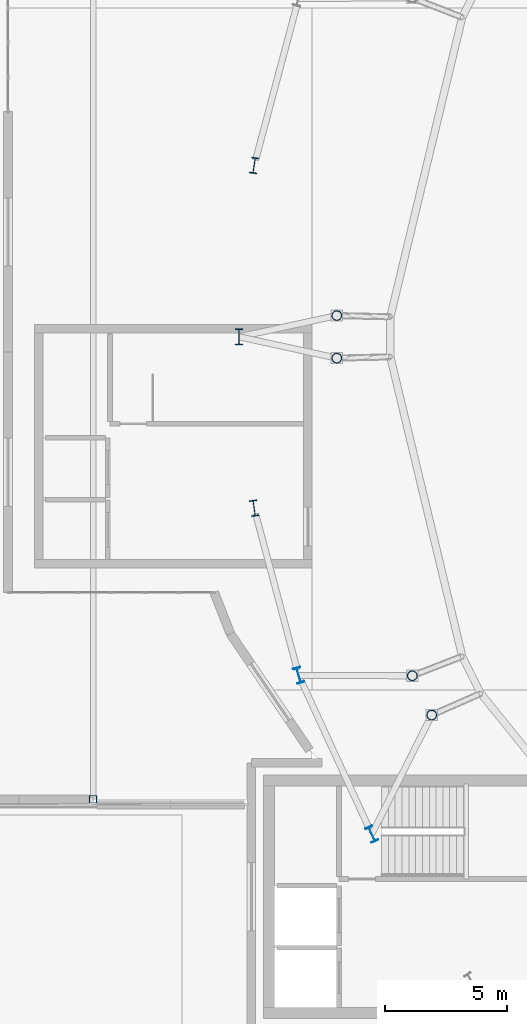
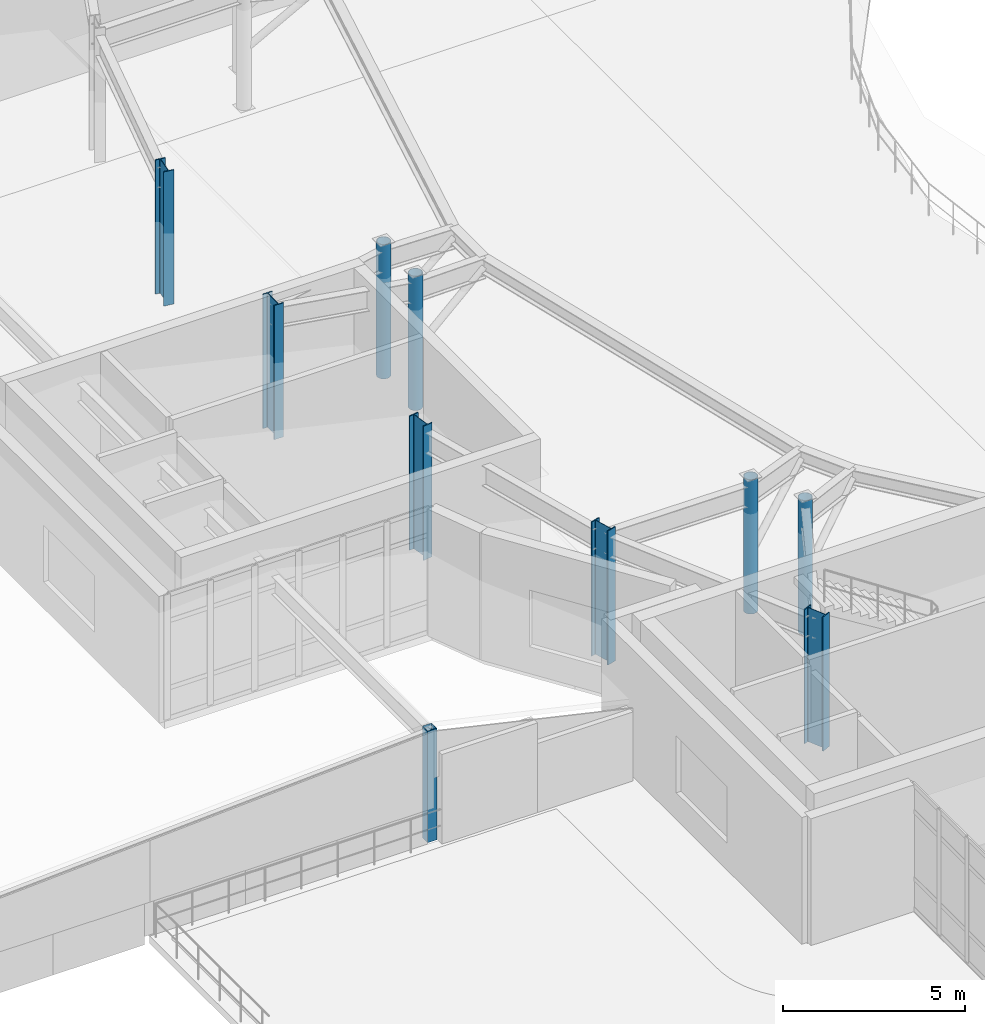
# One storey, part 3 of 48: 10 columns.
"""IFC4 building model written with IfcOpenShell, lengths in metres."""

from ifc_helpers import new_model, si_unit, direction, frame, origin, origin_2d, place, context, subcontext, project, spatial, hollow_rectangle, hollow_circle, i_section, extrude, material, material_profile, profile_set, type_object, element, save


model = new_model("IFC4")

# Units and contexts
model_context = context("Model", 3, precision=1e-05, world=origin(), true_north=direction((0.0, 1.0)))
body_context = subcontext(model_context, "Body", "Model", "MODEL_VIEW")
ifc_project = project(units=[si_unit("LENGTHUNIT", "METRE"), si_unit("AREAUNIT", "SQUARE_METRE"), si_unit("VOLUMEUNIT", "CUBIC_METRE"), si_unit("PLANEANGLEUNIT", "RADIAN"), si_unit("MASSUNIT", "GRAM", prefix="KILO")], contexts=[model_context])

# Site, building, storey
site_placement = place(None, origin())
site = spatial("IfcSite", under=ifc_project, at=site_placement, CompositionType="ELEMENT")
building_placement = place(site_placement, origin())
building = spatial("IfcBuilding", under=site, at=building_placement, Name="Glasvene Arena", CompositionType="ELEMENT")
storey_placement = place(building_placement, frame((0.0, 0.0, 19.5)))
storey = spatial("IfcBuildingStorey", under=building, at=storey_placement, Name="L04", CompositionType="ELEMENT", Elevation=19.5)

# Columns
ifc_material = material(Name="Steel S355J2", Category="steel")
ifc_material_profile_1 = material_profile(ifc_material, i_section(OverallWidth=0.300048828125, OverallDepth=0.64990234375, WebThickness=0.01611328125, FlangeThickness=0.031005859375, FilletRadius=0.027099609375, at=origin_2d()), Name="HEB 650")
ifc_profile_set_1 = profile_set([ifc_material_profile_1], Name="Steel S355J2")
column_type_1 = type_object("IfcColumnType", Name="COL-RING-HEB650", PredefinedType="COLUMN", material=ifc_profile_set_1)
for number, where, z_axis, x_axis, name in (
    (1, (42.615478515625, 80.03955078125, 0.0), (0.0, 0.0, 1.0), (-0.989999050734, 0.141074021516, 0.0), "Bowl ring column R20 L04"),
    (2, (42.0, 73.0, 0.0), (0.0, 0.0, 1.0), (-1.0, 0.0, 0.0), "Bowl ring column R21 L04"),
    (3, (42.615478515625, 65.96044921875, 0.0), (0.0, 0.0, 1.0), (-0.989999050734, -0.141074021516, 0.0), "Bowl ring column R22 L04"),
    (4, (44.447265625, 59.09423828125, 0.0), (0.0, 0.0, 1.0), (-0.959805291975, -0.280666708921, 0.0), "Bowl ring column R23 L04"),
    (5, (47.44970703125, 52.5703125, 0.0), (0.0, 0.0, 1.0), (-0.909018020308, -0.416756810089, 0.0), "Bowl ring column R24 L04"),
):
    element("IfcColumn", number, at=place(storey_placement, frame(where, z_axis=z_axis, x_axis=x_axis)), inside=storey, type_object=column_type_1, Name=name, PredefinedType="COLUMN", context=body_context, shape_type="SweptSolid", body=[
        extrude(i_section(OverallWidth=0.300048828125, OverallDepth=0.64990234375, WebThickness=0.01611328125, FlangeThickness=0.031005859375, FilletRadius=0.027099609375, at=origin_2d()), origin(), (0.0, 0.0, 1.0), 4.5),
    ])
ifc_material_profile_2 = material_profile(ifc_material, hollow_circle(Radius=0.203125, WallThickness=0.01611328125, at=origin_2d()), Name="CHS 406.4x16.0")
ifc_profile_set_2 = profile_set([ifc_material_profile_2], Name="Steel S355J2")
column_type_2 = type_object("IfcColumnType", Name="COL-W-CHS406", PredefinedType="COLUMN", material=ifc_profile_set_2)
for number, where, z_axis, x_axis, name in (
    (6, (46.01171875, 73.87353515625, 0.0), (0.0, 0.0, 1.0), (1.0, 0.0, 0.0), "Gondola support column L04 08-2"),
    (7, (46.01171875, 72.12646484375, 0.0), (0.0, 0.0, 1.0), (1.0, 0.0, 0.0), "Gondola support column L04 09-1"),
    (8, (49.113037109375, 59.077392578125, 0.0), (0.0, 0.0, 1.0), (1.0, 0.0, 0.0), "Gondola support column L04 09-2"),
    (9, (49.911865234375, 57.46337890625, 0.0), (0.0, 0.0, 1.0), (1.0, 0.0, 0.0), "Gondola support column L04 10-1"),
):
    element("IfcColumn", number, at=place(storey_placement, frame(where, z_axis=z_axis, x_axis=x_axis)), inside=storey, type_object=column_type_2, Name=name, PredefinedType="COLUMN", context=body_context, shape_type="SweptSolid", body=[
        extrude(hollow_circle(Radius=0.203125, WallThickness=0.01611328125, at=origin_2d()), origin(), (0.0, 0.0, 1.0), 4.5),
    ])
ifc_material_profile_3 = material_profile(ifc_material, hollow_rectangle(XDim=0.300048828125, YDim=0.300048828125, WallThickness=0.012451171875, at=origin_2d()), Name="SHS 300x300x12.5")
ifc_profile_set_3 = profile_set([ifc_material_profile_3], Name="Steel S355J2")
column_type_3 = type_object("IfcColumnType", Name="COL-W-SHS300", PredefinedType="COLUMN", material=ifc_profile_set_3)
column_placement = place(storey_placement, frame((36.0, 54.0, 0.0), z_axis=(0.0, 0.0, 1.0), x_axis=(1.0, 0.0, 0.0)))
element("IfcColumn", 10, at=column_placement, inside=storey, type_object=column_type_3, Name="Wing roof ridge post V4-6", PredefinedType="COLUMN", context=body_context, shape_type="SweptSolid", body=[
    extrude(hollow_rectangle(XDim=0.300048828125, YDim=0.300048828125, WallThickness=0.012451171875, at=origin_2d()), origin(), (0.0, 0.0, 1.0), 3.739990234375),
])

save(model, "model.ifc")
